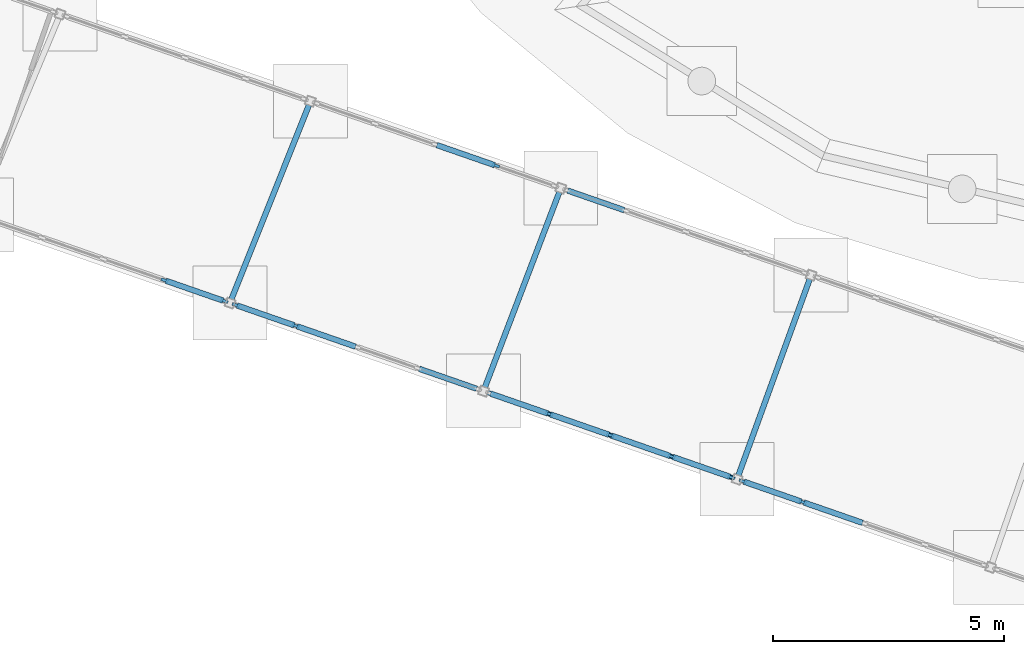
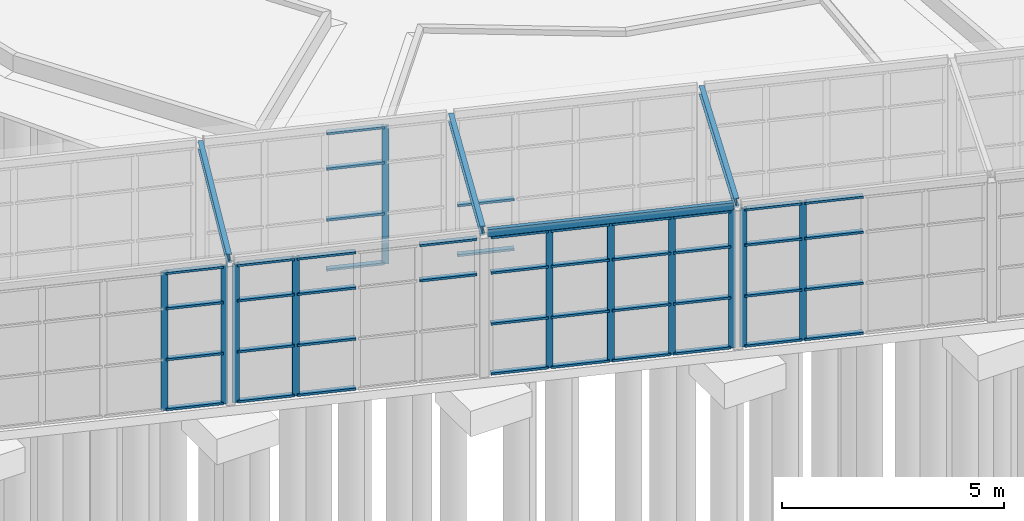
# One storey, part 47 of 226: 55 members, 4 beams, 6 elements without a shape of their own.
"""IFC4 building model written with IfcOpenShell, lengths in metres."""

from ifc_helpers import new_model, si_unit, direction, frame, origin, origin_2d, place, context, subcontext, project, spatial, rectangle, hollow_rectangle, i_section, extrude, material, material_profile, profile_set, type_object, element, aggregate, save


model = new_model("IFC4")

# Units and contexts
model_context = context("Model", 3, precision=1e-05, world=origin(), true_north=direction((0.0, 1.0)))
body_context = subcontext(model_context, "Body", "Model", "MODEL_VIEW")
ifc_project = project(units=[si_unit("LENGTHUNIT", "METRE"), si_unit("AREAUNIT", "SQUARE_METRE"), si_unit("VOLUMEUNIT", "CUBIC_METRE"), si_unit("PLANEANGLEUNIT", "RADIAN"), si_unit("MASSUNIT", "GRAM", prefix="KILO")], contexts=[model_context])

# Site, building, storey
site_placement = place(None, origin())
site = spatial("IfcSite", under=ifc_project, at=site_placement, CompositionType="ELEMENT")
building_placement = place(site_placement, origin())
building = spatial("IfcBuilding", under=site, at=building_placement, Name="Ceibo Conservatory and Research Tower", CompositionType="ELEMENT")
storey_placement = place(building_placement, origin())
storey = spatial("IfcBuildingStorey", under=building, at=storey_placement, Name="L00", CompositionType="ELEMENT", Elevation=0.0)

# Curtain wall, member
ifc_material_1 = material(Name="Aluminium and glass", Category="aluminium")
curtain_wall_type = type_object("IfcCurtainWallType", Name="Gallery curtain wall", PredefinedType="NOTDEFINED", material=ifc_material_1)
curtain_wall_1_placement = place(storey_placement, origin())
curtain_wall_1 = element("IfcCurtainWall", 1, at=curtain_wall_1_placement, inside=storey, type_object=curtain_wall_type, Name="Gallery curtain wall AUD-VC-CWN03", PredefinedType="NOTDEFINED")
ifc_material_2 = material(Name="Aluminium", Category="aluminium")
ifc_material_profile_1 = material_profile(ifc_material_2, rectangle(XDim=0.06005859375, YDim=0.159912109375, at=origin_2d()), Name="AL 60x160")
ifc_profile_set_1 = profile_set([ifc_material_profile_1], Name="Aluminium")
member_type_1 = type_object("IfcMemberType", Name="Gallery mullion 60x160", PredefinedType="MULLION", material=ifc_profile_set_1)
member_1_placement = place(storey_placement, frame((81.47900390625, 64.840576171875, 0.0), z_axis=(0.0, 0.0, 1.0), x_axis=(0.328283515513, 0.944579236191, 0.0)))
member_1 = element("IfcMember", 2, at=member_1_placement, type_object=member_type_1, Name="AUD-VC-CWN03 mullion 4", PredefinedType="MULLION", context=body_context, shape_type="SweptSolid", body=[
    extrude(rectangle(XDim=0.06005859375, YDim=0.159912109375, at=origin_2d()), origin(), (0.0, 0.0, 1.0), 3.800048828125),
])

# Curtain wall, members
curtain_wall_2_placement = place(storey_placement, origin())
curtain_wall_2 = element("IfcCurtainWall", 3, at=curtain_wall_2_placement, inside=storey, type_object=curtain_wall_type, Name="Gallery curtain wall AUD-VC-CWS02", PredefinedType="NOTDEFINED")
member_2_placement = place(storey_placement, frame((74.30322265625, 62.358642578125, 0.0), z_axis=(0.0, 0.0, 1.0), x_axis=(0.328283515513, 0.944579236191, 0.0)))
member_2 = element("IfcMember", 4, at=member_2_placement, type_object=member_type_1, Name="AUD-VC-CWS02 mullion 4", PredefinedType="MULLION", context=body_context, shape_type="SweptSolid", body=[
    extrude(rectangle(XDim=0.06005859375, YDim=0.159912109375, at=origin_2d()), origin(), (0.0, 0.0, 1.0), 3.800048828125),
])
member_3_placement = place(storey_placement, frame((75.599853515625, 61.907958984375, 0.0), z_axis=(0.0, 0.0, 1.0), x_axis=(0.328283515513, 0.944579236191, 0.0)))
member_3 = element("IfcMember", 5, at=member_3_placement, type_object=member_type_1, Name="AUD-VC-CWS02 mullion 5", PredefinedType="MULLION", context=body_context, shape_type="SweptSolid", body=[
    extrude(rectangle(XDim=0.06005859375, YDim=0.159912109375, at=origin_2d()), origin(), (0.0, 0.0, 1.0), 3.800048828125),
])

curtain_wall_3_placement = place(storey_placement, origin())
curtain_wall_3 = element("IfcCurtainWall", 6, at=curtain_wall_3_placement, inside=storey, type_object=curtain_wall_type, Name="Gallery curtain wall AUD-VC-CWS03", PredefinedType="NOTDEFINED")
member_4_placement = place(storey_placement, frame((75.845458984375, 61.822509765625, 0.0), z_axis=(0.0, 0.0, 1.0), x_axis=(0.328283515513, 0.944579236191, 0.0)))
member_4 = element("IfcMember", 7, at=member_4_placement, type_object=member_type_1, Name="AUD-VC-CWS03 mullion 1", PredefinedType="MULLION", context=body_context, shape_type="SweptSolid", body=[
    extrude(rectangle(XDim=0.06005859375, YDim=0.159912109375, at=origin_2d()), origin(), (0.0, 0.0, 1.0), 3.800048828125),
])
member_5_placement = place(storey_placement, frame((77.141845703125, 61.3720703125, 0.0), z_axis=(0.0, 0.0, 1.0), x_axis=(0.328283515513, 0.944579236191, 0.0)))
member_5 = element("IfcMember", 8, at=member_5_placement, type_object=member_type_1, Name="AUD-VC-CWS03 mullion 2", PredefinedType="MULLION", context=body_context, shape_type="SweptSolid", body=[
    extrude(rectangle(XDim=0.06005859375, YDim=0.159912109375, at=origin_2d()), origin(), (0.0, 0.0, 1.0), 3.800048828125),
])

curtain_wall_4_placement = place(storey_placement, origin())
curtain_wall_4 = element("IfcCurtainWall", 9, at=curtain_wall_4_placement, inside=storey, type_object=curtain_wall_type, Name="Gallery curtain wall AUD-VC-CWS04", PredefinedType="NOTDEFINED")
member_6_placement = place(storey_placement, frame((82.630126953125, 59.464599609375, 0.0), z_axis=(0.0, 0.0, 1.0), x_axis=(0.328283515513, 0.944579236191, 0.0)))
member_6 = element("IfcMember", 10, at=member_6_placement, type_object=member_type_1, Name="AUD-VC-CWS04 mullion 2", PredefinedType="MULLION", context=body_context, shape_type="SweptSolid", body=[
    extrude(rectangle(XDim=0.06005859375, YDim=0.159912109375, at=origin_2d()), origin(), (0.0, 0.0, 1.0), 3.800048828125),
])
member_7_placement = place(storey_placement, frame((83.955078125, 59.004150390625, 0.0), z_axis=(0.0, 0.0, 1.0), x_axis=(0.328283515513, 0.944579236191, 0.0)))
member_7 = element("IfcMember", 11, at=member_7_placement, type_object=member_type_1, Name="AUD-VC-CWS04 mullion 3", PredefinedType="MULLION", context=body_context, shape_type="SweptSolid", body=[
    extrude(rectangle(XDim=0.06005859375, YDim=0.159912109375, at=origin_2d()), origin(), (0.0, 0.0, 1.0), 3.800048828125),
])
member_8_placement = place(storey_placement, frame((85.27978515625, 58.543701171875, 0.0), z_axis=(0.0, 0.0, 1.0), x_axis=(0.328283515513, 0.944579236191, 0.0)))
member_8 = element("IfcMember", 12, at=member_8_placement, type_object=member_type_1, Name="AUD-VC-CWS04 mullion 4", PredefinedType="MULLION", context=body_context, shape_type="SweptSolid", body=[
    extrude(rectangle(XDim=0.06005859375, YDim=0.159912109375, at=origin_2d()), origin(), (0.0, 0.0, 1.0), 3.800048828125),
])
member_9_placement = place(storey_placement, frame((86.576416015625, 58.093017578125, 0.0), z_axis=(0.0, 0.0, 1.0), x_axis=(0.328283515513, 0.944579236191, 0.0)))
member_9 = element("IfcMember", 13, at=member_9_placement, type_object=member_type_1, Name="AUD-VC-CWS04 mullion 5", PredefinedType="MULLION", context=body_context, shape_type="SweptSolid", body=[
    extrude(rectangle(XDim=0.06005859375, YDim=0.159912109375, at=origin_2d()), origin(), (0.0, 0.0, 1.0), 3.800048828125),
])

curtain_wall_5_placement = place(storey_placement, origin())
curtain_wall_5 = element("IfcCurtainWall", 14, at=curtain_wall_5_placement, inside=storey, type_object=curtain_wall_type, Name="Gallery curtain wall AUD-VC-CWS05", PredefinedType="NOTDEFINED")
member_10_placement = place(storey_placement, frame((86.822021484375, 58.0078125, 0.0), z_axis=(0.0, 0.0, 1.0), x_axis=(0.328283515513, 0.944579236191, 0.0)))
member_10 = element("IfcMember", 15, at=member_10_placement, type_object=member_type_1, Name="AUD-VC-CWS05 mullion 1", PredefinedType="MULLION", context=body_context, shape_type="SweptSolid", body=[
    extrude(rectangle(XDim=0.06005859375, YDim=0.159912109375, at=origin_2d()), origin(), (0.0, 0.0, 1.0), 3.800048828125),
])
member_11_placement = place(storey_placement, frame((88.118408203125, 57.55712890625, 0.0), z_axis=(0.0, 0.0, 1.0), x_axis=(0.328283515513, 0.944579236191, 0.0)))
member_11 = element("IfcMember", 16, at=member_11_placement, type_object=member_type_1, Name="AUD-VC-CWS05 mullion 2", PredefinedType="MULLION", context=body_context, shape_type="SweptSolid", body=[
    extrude(rectangle(XDim=0.06005859375, YDim=0.159912109375, at=origin_2d()), origin(), (0.0, 0.0, 1.0), 3.800048828125),
])

# Member
ifc_material_profile_2 = material_profile(ifc_material_2, rectangle(XDim=0.1201171875, YDim=0.06005859375, at=origin_2d()), Name="AL 60x120")
ifc_profile_set_2 = profile_set([ifc_material_profile_2], Name="Aluminium")
member_type_2 = type_object("IfcMemberType", Name="Gallery transom 60x120", PredefinedType="USERDEFINED", material=ifc_profile_set_2)
member_12_placement = place(storey_placement, frame((80.19921875, 65.28515625, 0.030029296875), z_axis=(0.944608613867, -0.328198974112, 0.0), x_axis=(0.328198974112, 0.944608613867, 0.0)))
member_12 = element("IfcMember", 17, at=member_12_placement, type_object=member_type_2, Name="AUD-VC-CWN03 transom 3.1", ObjectType="TRANSOM", PredefinedType="USERDEFINED", context=body_context, shape_type="SweptSolid", body=[
    extrude(rectangle(XDim=0.1201171875, YDim=0.06005859375, at=origin_2d()), origin(), (0.0, 0.0, 1.0), 1.324951171875),
])

member_13_placement = place(storey_placement, frame((80.19921875, 65.28515625, 1.39990234375), z_axis=(0.944608613867, -0.328198974112, 0.0), x_axis=(0.328198974112, 0.944608613867, 0.0)))
member_13 = element("IfcMember", 18, at=member_13_placement, type_object=member_type_2, Name="AUD-VC-CWN03 transom 3.2", ObjectType="TRANSOM", PredefinedType="USERDEFINED", context=body_context, shape_type="SweptSolid", body=[
    extrude(rectangle(XDim=0.1201171875, YDim=0.06005859375, at=origin_2d()), origin(), (0.0, 0.0, 1.0), 1.324951171875),
])

member_14_placement = place(storey_placement, frame((80.19921875, 65.28515625, 2.800048828125), z_axis=(0.944608613867, -0.328198974112, 0.0), x_axis=(0.328198974112, 0.944608613867, 0.0)))
member_14 = element("IfcMember", 19, at=member_14_placement, type_object=member_type_2, Name="AUD-VC-CWN03 transom 3.3", ObjectType="TRANSOM", PredefinedType="USERDEFINED", context=body_context, shape_type="SweptSolid", body=[
    extrude(rectangle(XDim=0.1201171875, YDim=0.06005859375, at=origin_2d()), origin(), (0.0, 0.0, 1.0), 1.324951171875),
])

member_15_placement = place(storey_placement, frame((80.19921875, 65.28515625, 3.77001953125), z_axis=(0.944608613867, -0.328198974112, 0.0), x_axis=(0.328198974112, 0.944608613867, 0.0)))
member_15 = element("IfcMember", 20, at=member_15_placement, type_object=member_type_2, Name="AUD-VC-CWN03 transom 3.4", ObjectType="TRANSOM", PredefinedType="USERDEFINED", context=body_context, shape_type="SweptSolid", body=[
    extrude(rectangle(XDim=0.1201171875, YDim=0.06005859375, at=origin_2d()), origin(), (0.0, 0.0, 1.0), 1.324951171875),
])

aggregate(curtain_wall_1, [member_1, member_12, member_13, member_14, member_15])

# Curtain wall, members
curtain_wall_6_placement = place(storey_placement, origin())
curtain_wall_6 = element("IfcCurtainWall", 21, at=curtain_wall_6_placement, inside=storey, type_object=curtain_wall_type, Name="Gallery curtain wall AUD-VC-CWN04", PredefinedType="NOTDEFINED")
member_16_placement = place(storey_placement, frame((83.032470703125, 64.300537109375, 0.030029296875), z_axis=(0.944570549154, -0.328308509898, 0.0), x_axis=(0.328308509898, 0.944570549154, 0.0)))
member_16 = element("IfcMember", 22, at=member_16_placement, type_object=member_type_2, Name="AUD-VC-CWN04 transom 1.1", ObjectType="TRANSOM", PredefinedType="USERDEFINED", context=body_context, shape_type="SweptSolid", body=[
    extrude(rectangle(XDim=0.1201171875, YDim=0.06005859375, at=origin_2d()), origin(), (0.0, 0.0, 1.0), 1.294677734375),
])
member_17_placement = place(storey_placement, frame((83.032470703125, 64.300537109375, 1.39990234375), z_axis=(0.944570549154, -0.328308509898, 0.0), x_axis=(0.328308509898, 0.944570549154, 0.0)))
member_17 = element("IfcMember", 23, at=member_17_placement, type_object=member_type_2, Name="AUD-VC-CWN04 transom 1.2", ObjectType="TRANSOM", PredefinedType="USERDEFINED", context=body_context, shape_type="SweptSolid", body=[
    extrude(rectangle(XDim=0.1201171875, YDim=0.06005859375, at=origin_2d()), origin(), (0.0, 0.0, 1.0), 1.294677734375),
])
aggregate(curtain_wall_6, [member_16, member_17])

# Member
member_18_placement = place(storey_placement, frame((74.33154296875, 62.3486328125, 0.030029296875), z_axis=(0.944589591906, -0.328253717211, 0.0), x_axis=(0.328253717211, 0.944589591906, 0.0)))
member_18 = element("IfcMember", 24, at=member_18_placement, type_object=member_type_2, Name="AUD-VC-CWS02 transom 4.1", ObjectType="TRANSOM", PredefinedType="USERDEFINED", context=body_context, shape_type="SweptSolid", body=[
    extrude(rectangle(XDim=0.1201171875, YDim=0.06005859375, at=origin_2d()), origin(), (0.0, 0.0, 1.0), 1.312744140625),
])

member_19_placement = place(storey_placement, frame((74.33154296875, 62.3486328125, 1.39990234375), z_axis=(0.944589591906, -0.328253717211, 0.0), x_axis=(0.328253717211, 0.944589591906, 0.0)))
member_19 = element("IfcMember", 25, at=member_19_placement, type_object=member_type_2, Name="AUD-VC-CWS02 transom 4.2", ObjectType="TRANSOM", PredefinedType="USERDEFINED", context=body_context, shape_type="SweptSolid", body=[
    extrude(rectangle(XDim=0.1201171875, YDim=0.06005859375, at=origin_2d()), origin(), (0.0, 0.0, 1.0), 1.312744140625),
])

member_20_placement = place(storey_placement, frame((74.33154296875, 62.3486328125, 2.800048828125), z_axis=(0.944589591906, -0.328253717211, 0.0), x_axis=(0.328253717211, 0.944589591906, 0.0)))
member_20 = element("IfcMember", 26, at=member_20_placement, type_object=member_type_2, Name="AUD-VC-CWS02 transom 4.3", ObjectType="TRANSOM", PredefinedType="USERDEFINED", context=body_context, shape_type="SweptSolid", body=[
    extrude(rectangle(XDim=0.1201171875, YDim=0.06005859375, at=origin_2d()), origin(), (0.0, 0.0, 1.0), 1.312744140625),
])

member_21_placement = place(storey_placement, frame((74.33154296875, 62.3486328125, 3.77001953125), z_axis=(0.944589591906, -0.328253717211, 0.0), x_axis=(0.328253717211, 0.944589591906, 0.0)))
member_21 = element("IfcMember", 27, at=member_21_placement, type_object=member_type_2, Name="AUD-VC-CWS02 transom 4.4", ObjectType="TRANSOM", PredefinedType="USERDEFINED", context=body_context, shape_type="SweptSolid", body=[
    extrude(rectangle(XDim=0.1201171875, YDim=0.06005859375, at=origin_2d()), origin(), (0.0, 0.0, 1.0), 1.312744140625),
])

aggregate(curtain_wall_2, [member_2, member_3, member_18, member_19, member_20, member_21])

member_22_placement = place(storey_placement, frame((75.873779296875, 61.812744140625, 0.030029296875), z_axis=(0.944569547246, -0.328311392455, 0.0), x_axis=(0.328311392455, 0.944569547246, 0.0)))
member_22 = element("IfcMember", 28, at=member_22_placement, type_object=member_type_2, Name="AUD-VC-CWS03 transom 1.1", ObjectType="TRANSOM", PredefinedType="USERDEFINED", context=body_context, shape_type="SweptSolid", body=[
    extrude(rectangle(XDim=0.1201171875, YDim=0.06005859375, at=origin_2d()), origin(), (0.0, 0.0, 1.0), 1.3125),
])

member_23_placement = place(storey_placement, frame((75.873779296875, 61.812744140625, 1.39990234375), z_axis=(0.944569547246, -0.328311392455, 0.0), x_axis=(0.328311392455, 0.944569547246, 0.0)))
member_23 = element("IfcMember", 29, at=member_23_placement, type_object=member_type_2, Name="AUD-VC-CWS03 transom 1.2", ObjectType="TRANSOM", PredefinedType="USERDEFINED", context=body_context, shape_type="SweptSolid", body=[
    extrude(rectangle(XDim=0.1201171875, YDim=0.06005859375, at=origin_2d()), origin(), (0.0, 0.0, 1.0), 1.3125),
])

member_24_placement = place(storey_placement, frame((75.873779296875, 61.812744140625, 2.800048828125), z_axis=(0.944569547246, -0.328311392455, 0.0), x_axis=(0.328311392455, 0.944569547246, 0.0)))
member_24 = element("IfcMember", 30, at=member_24_placement, type_object=member_type_2, Name="AUD-VC-CWS03 transom 1.3", ObjectType="TRANSOM", PredefinedType="USERDEFINED", context=body_context, shape_type="SweptSolid", body=[
    extrude(rectangle(XDim=0.1201171875, YDim=0.06005859375, at=origin_2d()), origin(), (0.0, 0.0, 1.0), 1.3125),
])

member_25_placement = place(storey_placement, frame((75.873779296875, 61.812744140625, 3.77001953125), z_axis=(0.944569547246, -0.328311392455, 0.0), x_axis=(0.328311392455, 0.944569547246, 0.0)))
member_25 = element("IfcMember", 31, at=member_25_placement, type_object=member_type_2, Name="AUD-VC-CWS03 transom 1.4", ObjectType="TRANSOM", PredefinedType="USERDEFINED", context=body_context, shape_type="SweptSolid", body=[
    extrude(rectangle(XDim=0.1201171875, YDim=0.06005859375, at=origin_2d()), origin(), (0.0, 0.0, 1.0), 1.3125),
])

member_26_placement = place(storey_placement, frame((77.170166015625, 61.362060546875, 0.030029296875), z_axis=(0.944607129256, -0.328203247027, 0.0), x_axis=(0.328203247027, 0.944607129256, 0.0)))
member_26 = element("IfcMember", 32, at=member_26_placement, type_object=member_type_2, Name="AUD-VC-CWS03 transom 2.1", ObjectType="TRANSOM", PredefinedType="USERDEFINED", context=body_context, shape_type="SweptSolid", body=[
    extrude(rectangle(XDim=0.1201171875, YDim=0.06005859375, at=origin_2d()), origin(), (0.0, 0.0, 1.0), 1.3427734375),
])

member_27_placement = place(storey_placement, frame((77.170166015625, 61.362060546875, 1.39990234375), z_axis=(0.944607129256, -0.328203247027, 0.0), x_axis=(0.328203247027, 0.944607129256, 0.0)))
member_27 = element("IfcMember", 33, at=member_27_placement, type_object=member_type_2, Name="AUD-VC-CWS03 transom 2.2", ObjectType="TRANSOM", PredefinedType="USERDEFINED", context=body_context, shape_type="SweptSolid", body=[
    extrude(rectangle(XDim=0.1201171875, YDim=0.06005859375, at=origin_2d()), origin(), (0.0, 0.0, 1.0), 1.3427734375),
])

member_28_placement = place(storey_placement, frame((77.170166015625, 61.362060546875, 2.800048828125), z_axis=(0.944607129256, -0.328203247027, 0.0), x_axis=(0.328203247027, 0.944607129256, 0.0)))
member_28 = element("IfcMember", 34, at=member_28_placement, type_object=member_type_2, Name="AUD-VC-CWS03 transom 2.3", ObjectType="TRANSOM", PredefinedType="USERDEFINED", context=body_context, shape_type="SweptSolid", body=[
    extrude(rectangle(XDim=0.1201171875, YDim=0.06005859375, at=origin_2d()), origin(), (0.0, 0.0, 1.0), 1.3427734375),
])

member_29_placement = place(storey_placement, frame((77.170166015625, 61.362060546875, 3.77001953125), z_axis=(0.944607129256, -0.328203247027, 0.0), x_axis=(0.328203247027, 0.944607129256, 0.0)))
member_29 = element("IfcMember", 35, at=member_29_placement, type_object=member_type_2, Name="AUD-VC-CWS03 transom 2.4", ObjectType="TRANSOM", PredefinedType="USERDEFINED", context=body_context, shape_type="SweptSolid", body=[
    extrude(rectangle(XDim=0.1201171875, YDim=0.06005859375, at=origin_2d()), origin(), (0.0, 0.0, 1.0), 1.3427734375),
])

member_30_placement = place(storey_placement, frame((79.81982421875, 60.44140625, 2.800048828125), z_axis=(0.944589591906, -0.328253717211, 0.0), x_axis=(0.328253717211, 0.944589591906, 0.0)))
member_30 = element("IfcMember", 36, at=member_30_placement, type_object=member_type_2, Name="AUD-VC-CWS03 transom 4.3", ObjectType="TRANSOM", PredefinedType="USERDEFINED", context=body_context, shape_type="SweptSolid", body=[
    extrude(rectangle(XDim=0.1201171875, YDim=0.06005859375, at=origin_2d()), origin(), (0.0, 0.0, 1.0), 1.312744140625),
])

member_31_placement = place(storey_placement, frame((79.81982421875, 60.44140625, 3.77001953125), z_axis=(0.944589591906, -0.328253717211, 0.0), x_axis=(0.328253717211, 0.944589591906, 0.0)))
member_31 = element("IfcMember", 37, at=member_31_placement, type_object=member_type_2, Name="AUD-VC-CWS03 transom 4.4", ObjectType="TRANSOM", PredefinedType="USERDEFINED", context=body_context, shape_type="SweptSolid", body=[
    extrude(rectangle(XDim=0.1201171875, YDim=0.06005859375, at=origin_2d()), origin(), (0.0, 0.0, 1.0), 1.312744140625),
])

aggregate(curtain_wall_3, [member_4, member_5, member_22, member_23, member_24, member_25, member_26, member_27, member_28, member_29, member_30, member_31])

member_32_placement = place(storey_placement, frame((81.362060546875, 59.9052734375, 0.030029296875), z_axis=(0.944569547246, -0.328311392455, 0.0), x_axis=(0.328311392455, 0.944569547246, 0.0)))
member_32 = element("IfcMember", 38, at=member_32_placement, type_object=member_type_2, Name="AUD-VC-CWS04 transom 1.1", ObjectType="TRANSOM", PredefinedType="USERDEFINED", context=body_context, shape_type="SweptSolid", body=[
    extrude(rectangle(XDim=0.1201171875, YDim=0.06005859375, at=origin_2d()), origin(), (0.0, 0.0, 1.0), 1.3125),
])

member_33_placement = place(storey_placement, frame((81.362060546875, 59.9052734375, 1.39990234375), z_axis=(0.944569547246, -0.328311392455, 0.0), x_axis=(0.328311392455, 0.944569547246, 0.0)))
member_33 = element("IfcMember", 39, at=member_33_placement, type_object=member_type_2, Name="AUD-VC-CWS04 transom 1.2", ObjectType="TRANSOM", PredefinedType="USERDEFINED", context=body_context, shape_type="SweptSolid", body=[
    extrude(rectangle(XDim=0.1201171875, YDim=0.06005859375, at=origin_2d()), origin(), (0.0, 0.0, 1.0), 1.3125),
])

member_34_placement = place(storey_placement, frame((81.362060546875, 59.9052734375, 2.800048828125), z_axis=(0.944569547246, -0.328311392455, 0.0), x_axis=(0.328311392455, 0.944569547246, 0.0)))
member_34 = element("IfcMember", 40, at=member_34_placement, type_object=member_type_2, Name="AUD-VC-CWS04 transom 1.3", ObjectType="TRANSOM", PredefinedType="USERDEFINED", context=body_context, shape_type="SweptSolid", body=[
    extrude(rectangle(XDim=0.1201171875, YDim=0.06005859375, at=origin_2d()), origin(), (0.0, 0.0, 1.0), 1.3125),
])

member_35_placement = place(storey_placement, frame((81.362060546875, 59.9052734375, 3.77001953125), z_axis=(0.944569547246, -0.328311392455, 0.0), x_axis=(0.328311392455, 0.944569547246, 0.0)))
member_35 = element("IfcMember", 41, at=member_35_placement, type_object=member_type_2, Name="AUD-VC-CWS04 transom 1.4", ObjectType="TRANSOM", PredefinedType="USERDEFINED", context=body_context, shape_type="SweptSolid", body=[
    extrude(rectangle(XDim=0.1201171875, YDim=0.06005859375, at=origin_2d()), origin(), (0.0, 0.0, 1.0), 1.3125),
])

member_36_placement = place(storey_placement, frame((82.658447265625, 59.454833984375, 0.030029296875), z_axis=(0.944550747167, -0.328365476301, 0.0), x_axis=(0.328365476301, 0.944550747167, 0.0)))
member_36 = element("IfcMember", 42, at=member_36_placement, type_object=member_type_2, Name="AUD-VC-CWS04 transom 2.1", ObjectType="TRANSOM", PredefinedType="USERDEFINED", context=body_context, shape_type="SweptSolid", body=[
    extrude(rectangle(XDim=0.1201171875, YDim=0.06005859375, at=origin_2d()), origin(), (0.0, 0.0, 1.0), 1.3427734375),
])

member_37_placement = place(storey_placement, frame((82.658447265625, 59.454833984375, 1.39990234375), z_axis=(0.944550747167, -0.328365476301, 0.0), x_axis=(0.328365476301, 0.944550747167, 0.0)))
member_37 = element("IfcMember", 43, at=member_37_placement, type_object=member_type_2, Name="AUD-VC-CWS04 transom 2.2", ObjectType="TRANSOM", PredefinedType="USERDEFINED", context=body_context, shape_type="SweptSolid", body=[
    extrude(rectangle(XDim=0.1201171875, YDim=0.06005859375, at=origin_2d()), origin(), (0.0, 0.0, 1.0), 1.3427734375),
])

member_38_placement = place(storey_placement, frame((82.658447265625, 59.454833984375, 2.800048828125), z_axis=(0.944550747167, -0.328365476301, 0.0), x_axis=(0.328365476301, 0.944550747167, 0.0)))
member_38 = element("IfcMember", 44, at=member_38_placement, type_object=member_type_2, Name="AUD-VC-CWS04 transom 2.3", ObjectType="TRANSOM", PredefinedType="USERDEFINED", context=body_context, shape_type="SweptSolid", body=[
    extrude(rectangle(XDim=0.1201171875, YDim=0.06005859375, at=origin_2d()), origin(), (0.0, 0.0, 1.0), 1.3427734375),
])

member_39_placement = place(storey_placement, frame((82.658447265625, 59.454833984375, 3.77001953125), z_axis=(0.944550747167, -0.328365476301, 0.0), x_axis=(0.328365476301, 0.944550747167, 0.0)))
member_39 = element("IfcMember", 45, at=member_39_placement, type_object=member_type_2, Name="AUD-VC-CWS04 transom 2.4", ObjectType="TRANSOM", PredefinedType="USERDEFINED", context=body_context, shape_type="SweptSolid", body=[
    extrude(rectangle(XDim=0.1201171875, YDim=0.06005859375, at=origin_2d()), origin(), (0.0, 0.0, 1.0), 1.3427734375),
])

member_40_placement = place(storey_placement, frame((83.9833984375, 58.994384765625, 0.030029296875), z_axis=(0.944531137663, -0.328421878055, 0.0), x_axis=(0.328421878055, 0.944531137663, 0.0)))
member_40 = element("IfcMember", 46, at=member_40_placement, type_object=member_type_2, Name="AUD-VC-CWS04 transom 3.1", ObjectType="TRANSOM", PredefinedType="USERDEFINED", context=body_context, shape_type="SweptSolid", body=[
    extrude(rectangle(XDim=0.1201171875, YDim=0.06005859375, at=origin_2d()), origin(), (0.0, 0.0, 1.0), 1.342529296875),
])

member_41_placement = place(storey_placement, frame((83.9833984375, 58.994384765625, 1.39990234375), z_axis=(0.944531137663, -0.328421878055, 0.0), x_axis=(0.328421878055, 0.944531137663, 0.0)))
member_41 = element("IfcMember", 47, at=member_41_placement, type_object=member_type_2, Name="AUD-VC-CWS04 transom 3.2", ObjectType="TRANSOM", PredefinedType="USERDEFINED", context=body_context, shape_type="SweptSolid", body=[
    extrude(rectangle(XDim=0.1201171875, YDim=0.06005859375, at=origin_2d()), origin(), (0.0, 0.0, 1.0), 1.342529296875),
])

member_42_placement = place(storey_placement, frame((83.9833984375, 58.994384765625, 2.800048828125), z_axis=(0.944531137663, -0.328421878055, 0.0), x_axis=(0.328421878055, 0.944531137663, 0.0)))
member_42 = element("IfcMember", 48, at=member_42_placement, type_object=member_type_2, Name="AUD-VC-CWS04 transom 3.3", ObjectType="TRANSOM", PredefinedType="USERDEFINED", context=body_context, shape_type="SweptSolid", body=[
    extrude(rectangle(XDim=0.1201171875, YDim=0.06005859375, at=origin_2d()), origin(), (0.0, 0.0, 1.0), 1.342529296875),
])

member_43_placement = place(storey_placement, frame((83.9833984375, 58.994384765625, 3.77001953125), z_axis=(0.944531137663, -0.328421878055, 0.0), x_axis=(0.328421878055, 0.944531137663, 0.0)))
member_43 = element("IfcMember", 49, at=member_43_placement, type_object=member_type_2, Name="AUD-VC-CWS04 transom 3.4", ObjectType="TRANSOM", PredefinedType="USERDEFINED", context=body_context, shape_type="SweptSolid", body=[
    extrude(rectangle(XDim=0.1201171875, YDim=0.06005859375, at=origin_2d()), origin(), (0.0, 0.0, 1.0), 1.342529296875),
])

member_44_placement = place(storey_placement, frame((85.30810546875, 58.533935546875, 0.030029296875), z_axis=(0.944589591906, -0.328253717211, 0.0), x_axis=(0.328253717211, 0.944589591906, 0.0)))
member_44 = element("IfcMember", 50, at=member_44_placement, type_object=member_type_2, Name="AUD-VC-CWS04 transom 4.1", ObjectType="TRANSOM", PredefinedType="USERDEFINED", context=body_context, shape_type="SweptSolid", body=[
    extrude(rectangle(XDim=0.1201171875, YDim=0.06005859375, at=origin_2d()), origin(), (0.0, 0.0, 1.0), 1.312744140625),
])

member_45_placement = place(storey_placement, frame((85.30810546875, 58.533935546875, 1.39990234375), z_axis=(0.944589591906, -0.328253717211, 0.0), x_axis=(0.328253717211, 0.944589591906, 0.0)))
member_45 = element("IfcMember", 51, at=member_45_placement, type_object=member_type_2, Name="AUD-VC-CWS04 transom 4.2", ObjectType="TRANSOM", PredefinedType="USERDEFINED", context=body_context, shape_type="SweptSolid", body=[
    extrude(rectangle(XDim=0.1201171875, YDim=0.06005859375, at=origin_2d()), origin(), (0.0, 0.0, 1.0), 1.312744140625),
])

member_46_placement = place(storey_placement, frame((85.30810546875, 58.533935546875, 2.800048828125), z_axis=(0.944589591906, -0.328253717211, 0.0), x_axis=(0.328253717211, 0.944589591906, 0.0)))
member_46 = element("IfcMember", 52, at=member_46_placement, type_object=member_type_2, Name="AUD-VC-CWS04 transom 4.3", ObjectType="TRANSOM", PredefinedType="USERDEFINED", context=body_context, shape_type="SweptSolid", body=[
    extrude(rectangle(XDim=0.1201171875, YDim=0.06005859375, at=origin_2d()), origin(), (0.0, 0.0, 1.0), 1.312744140625),
])

member_47_placement = place(storey_placement, frame((85.30810546875, 58.533935546875, 3.77001953125), z_axis=(0.944589591906, -0.328253717211, 0.0), x_axis=(0.328253717211, 0.944589591906, 0.0)))
member_47 = element("IfcMember", 53, at=member_47_placement, type_object=member_type_2, Name="AUD-VC-CWS04 transom 4.4", ObjectType="TRANSOM", PredefinedType="USERDEFINED", context=body_context, shape_type="SweptSolid", body=[
    extrude(rectangle(XDim=0.1201171875, YDim=0.06005859375, at=origin_2d()), origin(), (0.0, 0.0, 1.0), 1.312744140625),
])

aggregate(curtain_wall_4, [member_6, member_7, member_8, member_9, member_32, member_33, member_34, member_35, member_36, member_37, member_38, member_39, member_40, member_41, member_42, member_43, member_44, member_45, member_46, member_47])

member_48_placement = place(storey_placement, frame((86.850341796875, 57.997802734375, 0.030029296875), z_axis=(0.944569547246, -0.328311392455, 0.0), x_axis=(0.328311392455, 0.944569547246, 0.0)))
member_48 = element("IfcMember", 54, at=member_48_placement, type_object=member_type_2, Name="AUD-VC-CWS05 transom 1.1", ObjectType="TRANSOM", PredefinedType="USERDEFINED", context=body_context, shape_type="SweptSolid", body=[
    extrude(rectangle(XDim=0.1201171875, YDim=0.06005859375, at=origin_2d()), origin(), (0.0, 0.0, 1.0), 1.3125),
])

member_49_placement = place(storey_placement, frame((86.850341796875, 57.997802734375, 1.39990234375), z_axis=(0.944569547246, -0.328311392455, 0.0), x_axis=(0.328311392455, 0.944569547246, 0.0)))
member_49 = element("IfcMember", 55, at=member_49_placement, type_object=member_type_2, Name="AUD-VC-CWS05 transom 1.2", ObjectType="TRANSOM", PredefinedType="USERDEFINED", context=body_context, shape_type="SweptSolid", body=[
    extrude(rectangle(XDim=0.1201171875, YDim=0.06005859375, at=origin_2d()), origin(), (0.0, 0.0, 1.0), 1.3125),
])

member_50_placement = place(storey_placement, frame((86.850341796875, 57.997802734375, 2.800048828125), z_axis=(0.944569547246, -0.328311392455, 0.0), x_axis=(0.328311392455, 0.944569547246, 0.0)))
member_50 = element("IfcMember", 56, at=member_50_placement, type_object=member_type_2, Name="AUD-VC-CWS05 transom 1.3", ObjectType="TRANSOM", PredefinedType="USERDEFINED", context=body_context, shape_type="SweptSolid", body=[
    extrude(rectangle(XDim=0.1201171875, YDim=0.06005859375, at=origin_2d()), origin(), (0.0, 0.0, 1.0), 1.3125),
])

member_51_placement = place(storey_placement, frame((86.850341796875, 57.997802734375, 3.77001953125), z_axis=(0.944569547246, -0.328311392455, 0.0), x_axis=(0.328311392455, 0.944569547246, 0.0)))
member_51 = element("IfcMember", 57, at=member_51_placement, type_object=member_type_2, Name="AUD-VC-CWS05 transom 1.4", ObjectType="TRANSOM", PredefinedType="USERDEFINED", context=body_context, shape_type="SweptSolid", body=[
    extrude(rectangle(XDim=0.1201171875, YDim=0.06005859375, at=origin_2d()), origin(), (0.0, 0.0, 1.0), 1.3125),
])

member_52_placement = place(storey_placement, frame((88.146728515625, 57.54736328125, 0.030029296875), z_axis=(0.944607129256, -0.328203247027, 0.0), x_axis=(0.328203247027, 0.944607129256, 0.0)))
member_52 = element("IfcMember", 58, at=member_52_placement, type_object=member_type_2, Name="AUD-VC-CWS05 transom 2.1", ObjectType="TRANSOM", PredefinedType="USERDEFINED", context=body_context, shape_type="SweptSolid", body=[
    extrude(rectangle(XDim=0.1201171875, YDim=0.06005859375, at=origin_2d()), origin(), (0.0, 0.0, 1.0), 1.3427734375),
])

member_53_placement = place(storey_placement, frame((88.146728515625, 57.54736328125, 1.39990234375), z_axis=(0.944607129256, -0.328203247027, 0.0), x_axis=(0.328203247027, 0.944607129256, 0.0)))
member_53 = element("IfcMember", 59, at=member_53_placement, type_object=member_type_2, Name="AUD-VC-CWS05 transom 2.2", ObjectType="TRANSOM", PredefinedType="USERDEFINED", context=body_context, shape_type="SweptSolid", body=[
    extrude(rectangle(XDim=0.1201171875, YDim=0.06005859375, at=origin_2d()), origin(), (0.0, 0.0, 1.0), 1.3427734375),
])

member_54_placement = place(storey_placement, frame((88.146728515625, 57.54736328125, 2.800048828125), z_axis=(0.944607129256, -0.328203247027, 0.0), x_axis=(0.328203247027, 0.944607129256, 0.0)))
member_54 = element("IfcMember", 60, at=member_54_placement, type_object=member_type_2, Name="AUD-VC-CWS05 transom 2.3", ObjectType="TRANSOM", PredefinedType="USERDEFINED", context=body_context, shape_type="SweptSolid", body=[
    extrude(rectangle(XDim=0.1201171875, YDim=0.06005859375, at=origin_2d()), origin(), (0.0, 0.0, 1.0), 1.3427734375),
])

member_55_placement = place(storey_placement, frame((88.146728515625, 57.54736328125, 3.77001953125), z_axis=(0.944607129256, -0.328203247027, 0.0), x_axis=(0.328203247027, 0.944607129256, 0.0)))
member_55 = element("IfcMember", 61, at=member_55_placement, type_object=member_type_2, Name="AUD-VC-CWS05 transom 2.4", ObjectType="TRANSOM", PredefinedType="USERDEFINED", context=body_context, shape_type="SweptSolid", body=[
    extrude(rectangle(XDim=0.1201171875, YDim=0.06005859375, at=origin_2d()), origin(), (0.0, 0.0, 1.0), 1.3427734375),
])

aggregate(curtain_wall_5, [member_10, member_11, member_48, member_49, member_50, member_51, member_52, member_53, member_54, member_55])

# Beams
ifc_material_3 = material(Name="Steel S355J2", Category="steel")
ifc_material_profile_3 = material_profile(ifc_material_3, i_section(OverallWidth=0.1201171875, OverallDepth=0.239990234375, WebThickness=0.006103515625, FlangeThickness=0.009765625, at=origin_2d()), Name="IPE 240")
ifc_profile_set_3 = profile_set([ifc_material_profile_3], Name="Steel S355J2")
beam_type_1 = type_object("IfcBeamType", Name="IPE 240 roof beam", PredefinedType="BEAM", material=ifc_profile_set_3)
beam_1_placement = place(storey_placement, frame((77.429443359375, 66.147216796875, 3.8798828125), z_axis=(-0.371185547073, -0.928558716315, 0.0), x_axis=(0.928558716315, -0.371185547073, 0.0)))
element("IfcBeam", 62, at=beam_1_placement, inside=storey, type_object=beam_type_1, Name="Gallery roof beam AUD-VC-RB02", PredefinedType="BEAM", context=body_context, shape_type="SweptSolid", body=[
    extrude(i_section(OverallWidth=0.1201171875, OverallDepth=0.239990234375, WebThickness=0.006103515625, FlangeThickness=0.009765625, at=origin_2d()), origin(), (0.0, 0.0, 1.0), 4.5146484375),
])
beam_2_placement = place(storey_placement, frame((82.85009765625, 64.263427734375, 3.8798828125), z_axis=(-0.356407046843, -0.934330785622, 0.0), x_axis=(0.934330785622, -0.356407046843, 0.0)))
element("IfcBeam", 63, at=beam_2_placement, inside=storey, type_object=beam_type_1, Name="Gallery roof beam AUD-VC-RB03", PredefinedType="BEAM", context=body_context, shape_type="SweptSolid", body=[
    extrude(i_section(OverallWidth=0.1201171875, OverallDepth=0.239990234375, WebThickness=0.006103515625, FlangeThickness=0.009765625, at=origin_2d()), origin(), (0.0, 0.0, 1.0), 4.51220703125),
])
beam_3_placement = place(storey_placement, frame((88.270751953125, 62.37939453125, 3.8798828125), z_axis=(-0.341543139997, -0.939866098719, 0.0), x_axis=(0.939866098719, -0.341543139997, 0.0)))
element("IfcBeam", 64, at=beam_3_placement, inside=storey, type_object=beam_type_1, Name="Gallery roof beam AUD-VC-RB04", PredefinedType="BEAM", context=body_context, shape_type="SweptSolid", body=[
    extrude(i_section(OverallWidth=0.1201171875, OverallDepth=0.239990234375, WebThickness=0.006103515625, FlangeThickness=0.009765625, at=origin_2d()), origin(), (0.0, 0.0, 1.0), 4.510498046875),
])
ifc_material_4 = material(Name="Steel S355J2H", Category="steel")
ifc_material_profile_4 = material_profile(ifc_material_4, hollow_rectangle(XDim=0.10009765625, YDim=0.199951171875, WallThickness=0.008056640625, at=origin_2d()), Name="RHS 200x100x8 edge beam")
ifc_profile_set_4 = profile_set([ifc_material_profile_4], Name="Steel S355J2H")
beam_type_2 = type_object("IfcBeamType", Name="RHS 200x100x8 edge beam", PredefinedType="BEAM", material=ifc_profile_set_4)
beam_4_placement = place(storey_placement, frame((81.300537109375, 59.9267578125, 3.89990234375), z_axis=(0.944570611008, -0.328308331938, 0.0), x_axis=(0.328308331938, 0.944570611008, 0.0)))
element("IfcBeam", 65, at=beam_4_placement, inside=storey, type_object=beam_type_2, Name="Gallery edge beam AUD-VC-EBS04", PredefinedType="BEAM", context=body_context, shape_type="SweptSolid", body=[
    extrude(hollow_rectangle(XDim=0.10009765625, YDim=0.199951171875, WallThickness=0.008056640625, at=origin_2d()), origin(), (0.0, 0.0, 1.0), 5.620361328125),
])

save(model, "model.ifc")
